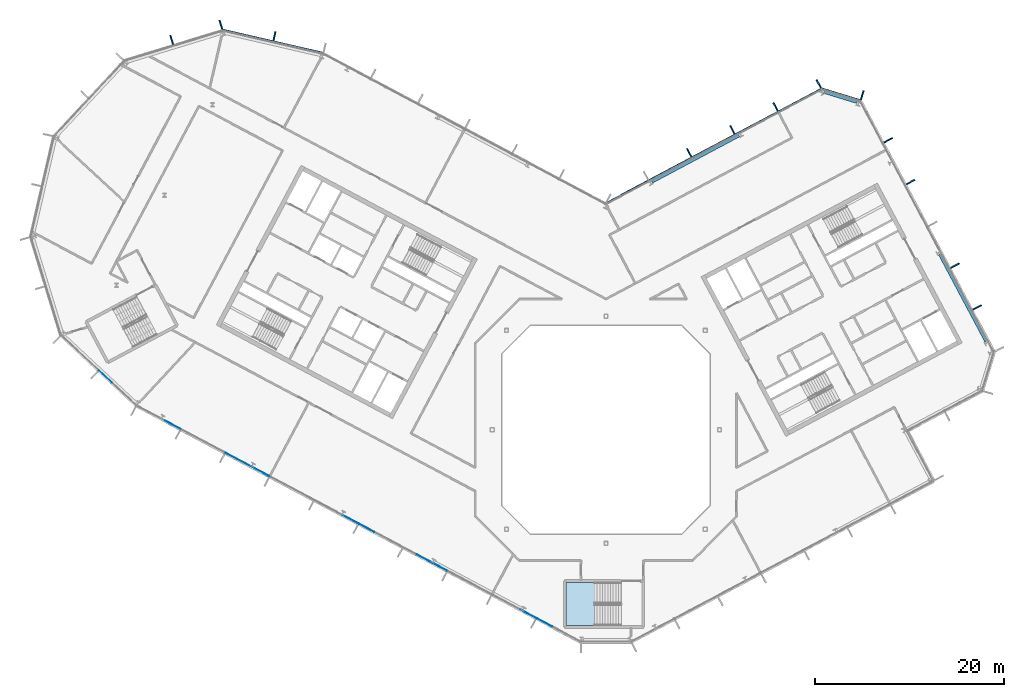
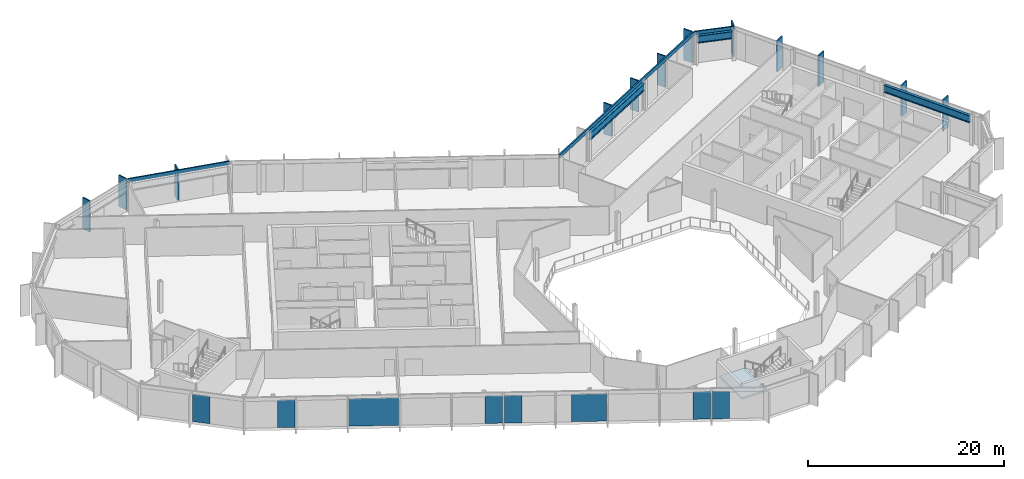
# One storey, part 10 of 25: 15 members, 8 plates, 3 beams, 1 slab, 8 elements without a shape of their own.
"""IFC4 building model written with IfcOpenShell, lengths in metres."""

from ifc_helpers import new_model, si_unit, direction, frame, origin, origin_2d, place, context, subcontext, project, spatial, polyline, rectangle, i_section, outline, extrude, material, layer, layer_set, material_profile, profile_set, type_object, element, aggregate, save


model = new_model("IFC4")

# Units and contexts
model_context = context("Model", 3, precision=1e-05, world=origin(), true_north=direction((0.0, 1.0)))
body_context = subcontext(model_context, "Body", "Model", "MODEL_VIEW")
ifc_project = project(units=[si_unit("LENGTHUNIT", "METRE"), si_unit("AREAUNIT", "SQUARE_METRE"), si_unit("VOLUMEUNIT", "CUBIC_METRE"), si_unit("PLANEANGLEUNIT", "RADIAN"), si_unit("MASSUNIT", "GRAM", prefix="KILO")], contexts=[model_context])

# Site, building, storey
site_placement = place(None, origin())
site = spatial("IfcSite", under=ifc_project, at=site_placement, CompositionType="ELEMENT")
building_placement = place(site_placement, origin())
building = spatial("IfcBuilding", under=site, at=building_placement, Name="Cormorant Relay Tower", CompositionType="ELEMENT")
storey_placement = place(building_placement, frame((0.0, 0.0, 273.60009765625)))
storey = spatial("IfcBuildingStorey", under=building, at=storey_placement, Name="L61", CompositionType="ELEMENT", Elevation=273.60009765625)

# Curtain wall, members
ifc_material_1 = material(Name="Aluminium 6063-T6 anodised bronze", Category="aluminium")
ifc_layer_1 = layer(ifc_material_1, 0.199951171875)
ifc_layer_set_1 = layer_set([ifc_layer_1], Name="CW1 unitised bronze curtain wall with vertical fins")
curtain_wall_type = type_object("IfcCurtainWallType", Name="CW1 unitised bronze curtain wall with vertical fins", PredefinedType="NOTDEFINED", material=ifc_layer_set_1)
curtain_wall_1_placement = place(storey_placement, origin())
curtain_wall_1 = element("IfcCurtainWall", 1, at=curtain_wall_1_placement, inside=storey, type_object=curtain_wall_type, Name="CW1 curtain wall 6", PredefinedType="NOTDEFINED")
ifc_material_2 = material(Name="Aluminium 6063-T6 anodised bronze", Category="aluminium")
ifc_material_profile_1 = material_profile(ifc_material_2, rectangle(XDim=0.14990234375, YDim=1.0, at=origin_2d()), Name="AL 150x1000")
ifc_profile_set_1 = profile_set([ifc_material_profile_1], Name="Aluminium 6063-T6 anodised bronze")
member_type_1 = type_object("IfcMemberType", Name="CW1 bronze fin mullion 150 x 1000", PredefinedType="MULLION", material=ifc_profile_set_1)
member_1_placement = place(storey_placement, frame((39.222412109375, 12.927001953125, 0.0), z_axis=(0.0, 0.0, 1.0), x_axis=(-0.469471562786, 0.882947592859, 0.0)))
member_1 = element("IfcMember", 2, at=member_1_placement, type_object=member_type_1, Name="CW1 fin 6.2", PredefinedType="MULLION", context=body_context, shape_type="SweptSolid", body=[
    extrude(rectangle(XDim=0.14990234375, YDim=1.0, at=origin_2d()), origin(), (0.0, 0.0, 1.0), 3.89990234375),
])
member_2_placement = place(storey_placement, frame((36.875, 17.341552734375, 0.0), z_axis=(0.0, 0.0, 1.0), x_axis=(-0.469471562786, 0.882947592859, 0.0)))
member_2 = element("IfcMember", 3, at=member_2_placement, type_object=member_type_1, Name="CW1 fin 6.3", PredefinedType="MULLION", context=body_context, shape_type="SweptSolid", body=[
    extrude(rectangle(XDim=0.14990234375, YDim=1.0, at=origin_2d()), origin(), (0.0, 0.0, 1.0), 3.89990234375),
])
member_3_placement = place(storey_placement, frame((32.18017578125, 26.171142578125, 0.0), z_axis=(0.0, 0.0, 1.0), x_axis=(-0.469471562786, 0.882947592859, 0.0)))
member_3 = element("IfcMember", 4, at=member_3_placement, type_object=member_type_1, Name="CW1 fin 6.5", PredefinedType="MULLION", context=body_context, shape_type="SweptSolid", body=[
    extrude(rectangle(XDim=0.14990234375, YDim=1.0, at=origin_2d()), origin(), (0.0, 0.0, 1.0), 3.89990234375),
])
member_4_placement = place(storey_placement, frame((29.832763671875, 30.585693359375, 0.0), z_axis=(0.0, 0.0, 1.0), x_axis=(-0.469471562786, 0.882947592859, 0.0)))
member_4 = element("IfcMember", 5, at=member_4_placement, type_object=member_type_1, Name="CW1 fin 6.6", PredefinedType="MULLION", context=body_context, shape_type="SweptSolid", body=[
    extrude(rectangle(XDim=0.14990234375, YDim=1.0, at=origin_2d()), origin(), (0.0, 0.0, 1.0), 3.89990234375),
])
aggregate(curtain_wall_1, [member_1, member_2, member_3, member_4])

# Curtain wall, member
curtain_wall_2_placement = place(storey_placement, origin())
curtain_wall_2 = element("IfcCurtainWall", 6, at=curtain_wall_2_placement, inside=storey, type_object=curtain_wall_type, Name="CW1 curtain wall 7", PredefinedType="NOTDEFINED")
member_5_placement = place(storey_placement, frame((27.072021484375, 35.34130859375, 0.0), z_axis=(0.0, 0.0, 1.0), x_axis=(-0.956304755963, 0.292371704723, 0.0)))
member_5 = element("IfcMember", 7, at=member_5_placement, type_object=member_type_1, Name="CW1 fin 7.1", PredefinedType="MULLION", context=body_context, shape_type="SweptSolid", body=[
    extrude(rectangle(XDim=0.14990234375, YDim=1.0, at=origin_2d()), origin(), (0.0, 0.0, 1.0), 3.89990234375),
])

# Curtain wall, members
curtain_wall_3_placement = place(storey_placement, origin())
curtain_wall_3 = element("IfcCurtainWall", 8, at=curtain_wall_3_placement, inside=storey, type_object=curtain_wall_type, Name="CW1 curtain wall 8", PredefinedType="NOTDEFINED")
member_6_placement = place(storey_placement, frame((22.4814453125, 36.530517578125, 0.0), z_axis=(0.0, 0.0, 1.0), x_axis=(-0.882947592859, -0.469471562786, 0.0)))
member_6 = element("IfcMember", 9, at=member_6_placement, type_object=member_type_1, Name="CW1 fin 8.1", PredefinedType="MULLION", context=body_context, shape_type="SweptSolid", body=[
    extrude(rectangle(XDim=0.14990234375, YDim=1.0, at=origin_2d()), origin(), (0.0, 0.0, 1.0), 3.89990234375),
])
member_7_placement = place(storey_placement, frame((17.91943359375, 34.104736328125, 0.0), z_axis=(0.0, 0.0, 1.0), x_axis=(-0.882947592859, -0.469471562786, 0.0)))
member_7 = element("IfcMember", 10, at=member_7_placement, type_object=member_type_1, Name="CW1 fin 8.2", PredefinedType="MULLION", context=body_context, shape_type="SweptSolid", body=[
    extrude(rectangle(XDim=0.14990234375, YDim=1.0, at=origin_2d()), origin(), (0.0, 0.0, 1.0), 3.89990234375),
])
member_8_placement = place(storey_placement, frame((13.357421875, 31.67919921875, 0.0), z_axis=(0.0, 0.0, 1.0), x_axis=(-0.882947592859, -0.469471562786, 0.0)))
member_8 = element("IfcMember", 11, at=member_8_placement, type_object=member_type_1, Name="CW1 fin 8.3", PredefinedType="MULLION", context=body_context, shape_type="SweptSolid", body=[
    extrude(rectangle(XDim=0.14990234375, YDim=1.0, at=origin_2d()), origin(), (0.0, 0.0, 1.0), 3.89990234375),
])
member_9_placement = place(storey_placement, frame((8.79541015625, 29.25341796875, 0.0), z_axis=(0.0, 0.0, 1.0), x_axis=(-0.882947592859, -0.469471562786, 0.0)))
member_9 = element("IfcMember", 12, at=member_9_placement, type_object=member_type_1, Name="CW1 fin 8.4", PredefinedType="MULLION", context=body_context, shape_type="SweptSolid", body=[
    extrude(rectangle(XDim=0.14990234375, YDim=1.0, at=origin_2d()), origin(), (0.0, 0.0, 1.0), 3.89990234375),
])

# Curtain wall, member
curtain_wall_4_placement = place(storey_placement, origin())
curtain_wall_4 = element("IfcCurtainWall", 13, at=curtain_wall_4_placement, inside=storey, type_object=curtain_wall_type, Name="CW1 curtain wall 10", PredefinedType="NOTDEFINED")
member_10_placement = place(storey_placement, frame((-35.01220703125, 41.57275390625, 0.0), z_axis=(0.0, 0.0, 1.0), x_axis=(-0.974370064785, 0.224951054344, 0.0)))
member_10 = element("IfcMember", 14, at=member_10_placement, type_object=member_type_1, Name="CW1 fin 10.2", PredefinedType="MULLION", context=body_context, shape_type="SweptSolid", body=[
    extrude(rectangle(XDim=0.14990234375, YDim=1.0, at=origin_2d()), origin(), (0.0, 0.0, 1.0), 3.89990234375),
])

# Curtain wall, members
curtain_wall_5_placement = place(storey_placement, origin())
curtain_wall_5 = element("IfcCurtainWall", 15, at=curtain_wall_5_placement, inside=storey, type_object=curtain_wall_type, Name="CW1 curtain wall 11", PredefinedType="NOTDEFINED")
member_11_placement = place(storey_placement, frame((-40.670166015625, 42.78271484375, 0.0), z_axis=(0.0, 0.0, 1.0), x_axis=(-0.956304755963, -0.292371704723, 0.0)))
member_11 = element("IfcMember", 16, at=member_11_placement, type_object=member_type_1, Name="CW1 fin 11.1", PredefinedType="MULLION", context=body_context, shape_type="SweptSolid", body=[
    extrude(rectangle(XDim=0.14990234375, YDim=1.0, at=origin_2d()), origin(), (0.0, 0.0, 1.0), 3.89990234375),
])
member_12_placement = place(storey_placement, frame((-45.867919921875, 41.193603515625, 0.0), z_axis=(0.0, 0.0, 1.0), x_axis=(-0.956304755963, -0.292371704723, 0.0)))
member_12 = element("IfcMember", 17, at=member_12_placement, type_object=member_type_1, Name="CW1 fin 11.2", PredefinedType="MULLION", context=body_context, shape_type="SweptSolid", body=[
    extrude(rectangle(XDim=0.14990234375, YDim=1.0, at=origin_2d()), origin(), (0.0, 0.0, 1.0), 3.89990234375),
])
aggregate(curtain_wall_5, [member_11, member_12])

# Member
ifc_material_3 = material(Name="Aluminium 6063-T6 anodised bronze", Category="aluminium")
ifc_material_profile_2 = material_profile(ifc_material_3, rectangle(XDim=0.159912109375, YDim=0.449951171875, at=origin_2d()), Name="AL 160x450")
ifc_profile_set_2 = profile_set([ifc_material_profile_2], Name="Aluminium 6063-T6 anodised bronze")
member_type_2 = type_object("IfcMemberType", Name="CW1 bronze transom 160 x 450", PredefinedType="USERDEFINED", material=ifc_profile_set_2)
member_13_placement = place(storey_placement, frame((26.902587890625, 34.78662109375, 3.6748046875), z_axis=(-0.956303761594, 0.292374957137, 0.0), x_axis=(-0.292374957137, -0.956303761594, 0.0)))
member_13 = element("IfcMember", 18, at=member_13_placement, type_object=member_type_2, Name="CW1 transom 7", ObjectType="TRANSOM", PredefinedType="USERDEFINED", context=body_context, shape_type="SweptSolid", body=[
    extrude(rectangle(XDim=0.159912109375, YDim=0.449951171875, at=origin_2d()), origin(), (0.0, 0.0, 1.0), 4.24267578125),
])

aggregate(curtain_wall_2, [member_5, member_13])

member_14_placement = place(storey_placement, frame((22.75390625, 36.018310546875, 3.6748046875), z_axis=(-0.882948156597, -0.469470502547, 0.0), x_axis=(0.469470502547, -0.882948156597, 0.0)))
member_14 = element("IfcMember", 19, at=member_14_placement, type_object=member_type_2, Name="CW1 transom 8", ObjectType="TRANSOM", PredefinedType="USERDEFINED", context=body_context, shape_type="SweptSolid", body=[
    extrude(rectangle(XDim=0.159912109375, YDim=0.449951171875, at=origin_2d()), origin(), (0.0, 0.0, 1.0), 25.834228515625),
])

aggregate(curtain_wall_3, [member_6, member_7, member_8, member_9, member_14])

member_15_placement = place(storey_placement, frame((-29.8466796875, 39.784912109375, 3.6748046875), z_axis=(-0.974365070969, 0.224972683844, 0.0), x_axis=(-0.224972683844, -0.974365070969, 0.0)))
member_15 = element("IfcMember", 20, at=member_15_placement, type_object=member_type_2, Name="CW1 transom 10", ObjectType="TRANSOM", PredefinedType="USERDEFINED", context=body_context, shape_type="SweptSolid", body=[
    extrude(rectangle(XDim=0.159912109375, YDim=0.449951171875, at=origin_2d()), origin(), (0.0, 0.0, 1.0), 10.870361328125),
])

aggregate(curtain_wall_4, [member_10, member_15])

# Beams
ifc_material_4 = material(Name="Steel ASTM A992 (Fy 345 MPa)", Category="steel")
ifc_material_profile_3 = material_profile(ifc_material_4, i_section(OverallWidth=0.307373046875, OverallDepth=0.927001953125, WebThickness=0.019287109375, FlangeThickness=0.031982421875, FilletRadius=0.01904296875, at=origin_2d()), Name="W920x289")
ifc_profile_set_3 = profile_set([ifc_material_profile_3], Name="Steel ASTM A992 (Fy 345 MPa)")
beam_type = type_object("IfcBeamType", Name="Spandrel W920x289", PredefinedType="SPANDREL", material=ifc_profile_set_3)
beam_1_placement = place(storey_placement, frame((40.1591796875, 9.3466796875, 3.076416015625), z_axis=(-0.469474391681, 0.882946088703, 0.0), x_axis=(-0.882946088703, -0.469474391681, 0.0)))
element("IfcBeam", 21, at=beam_1_placement, inside=storey, type_object=beam_type, Name="Spandrel beam L61-006", PredefinedType="SPANDREL", context=body_context, shape_type="SweptSolid", body=[
    extrude(i_section(OverallWidth=0.307373046875, OverallDepth=0.927001953125, WebThickness=0.019287109375, FlangeThickness=0.031982421875, FilletRadius=0.01904296875, at=origin_2d()), origin(), (0.0, 0.0, 1.0), 10.401611328125),
])
beam_2_placement = place(storey_placement, frame((26.512451171875, 34.619873046875, 3.076416015625), z_axis=(-0.956313678807, 0.292342517821, 0.0), x_axis=(-0.292342517821, -0.956313678807, 0.0)))
element("IfcBeam", 22, at=beam_2_placement, inside=storey, type_object=beam_type, Name="Spandrel beam L61-007", PredefinedType="SPANDREL", context=body_context, shape_type="SweptSolid", body=[
    extrude(i_section(OverallWidth=0.307373046875, OverallDepth=0.927001953125, WebThickness=0.019287109375, FlangeThickness=0.031982421875, FilletRadius=0.01904296875, at=origin_2d()), origin(), (0.0, 0.0, 1.0), 3.65185546875),
])
beam_3_placement = place(storey_placement, frame((14.05322265625, 31.082275390625, 3.076416015625), z_axis=(-0.882950644937, -0.469465822617, 0.0), x_axis=(0.469465822617, -0.882950644937, 0.0)))
element("IfcBeam", 23, at=beam_3_placement, inside=storey, type_object=beam_type, Name="Spandrel beam L61-008", PredefinedType="SPANDREL", context=body_context, shape_type="SweptSolid", body=[
    extrude(i_section(OverallWidth=0.307373046875, OverallDepth=0.927001953125, WebThickness=0.019287109375, FlangeThickness=0.031982421875, FilletRadius=0.01904296875, at=origin_2d()), origin(), (0.0, 0.0, 1.0), 10.4013671875),
])

# Curtain wall, plate
curtain_wall_6_placement = place(storey_placement, origin())
curtain_wall_6 = element("IfcCurtainWall", 24, at=curtain_wall_6_placement, inside=storey, type_object=curtain_wall_type, Name="CW1 curtain wall 15", PredefinedType="NOTDEFINED")
ifc_material_5 = material(Name="Tinted laminated glass", Category="glass")
ifc_layer_2 = layer(ifc_material_5, 0.0400390625)
ifc_layer_set_2 = layer_set([ifc_layer_2], Name="CW1 tinted vision panel 1800 module")
plate_type_1 = type_object("IfcPlateType", Name="CW1 tinted vision panel 1800 module", PredefinedType="CURTAIN_PANEL", material=ifc_layer_set_2)
plate_1_placement = place(storey_placement, frame((-52.8671875, 5.611572265625, 0.0), z_axis=(0.0, 0.0, 1.0), x_axis=(0.731353701619, -0.681998360062, 0.0)))
plate_1 = element("IfcPlate", 25, at=plate_1_placement, type_object=plate_type_1, Name="CW1 panel V01", PredefinedType="CURTAIN_PANEL", context=body_context, shape_type="SweptSolid", body=[
    extrude(rectangle(XDim=1.800048828125, YDim=0.0400390625, at=origin_2d()), origin(), (0.0, 0.0, 1.0), 3.449951171875),
])
aggregate(curtain_wall_6, [plate_1])

# Curtain wall, plates
curtain_wall_7_placement = place(storey_placement, origin())
curtain_wall_7 = element("IfcCurtainWall", 26, at=curtain_wall_7_placement, inside=storey, type_object=curtain_wall_type, Name="CW1 curtain wall 16", PredefinedType="NOTDEFINED")
plate_2_placement = place(storey_placement, frame((-45.767578125, 0.5283203125, 0.0), z_axis=(0.0, 0.0, 1.0), x_axis=(0.882947592859, -0.469471562786, 0.0)))
plate_2 = element("IfcPlate", 27, at=plate_2_placement, type_object=plate_type_1, Name="CW1 panel V01", PredefinedType="CURTAIN_PANEL", context=body_context, shape_type="SweptSolid", body=[
    extrude(rectangle(XDim=1.800048828125, YDim=0.0400390625, at=origin_2d()), origin(), (0.0, 0.0, 1.0), 3.449951171875),
])
plate_3_placement = place(storey_placement, frame((-26.990478515625, -9.45556640625, 0.0), z_axis=(0.0, 0.0, 1.0), x_axis=(0.882947592859, -0.469471562786, 0.0)))
plate_3 = element("IfcPlate", 28, at=plate_3_placement, type_object=plate_type_1, Name="CW1 panel V05", PredefinedType="CURTAIN_PANEL", context=body_context, shape_type="SweptSolid", body=[
    extrude(rectangle(XDim=1.800048828125, YDim=0.0400390625, at=origin_2d()), origin(), (0.0, 0.0, 1.0), 3.449951171875),
])
plate_4_placement = place(storey_placement, frame((-25.268798828125, -10.37109375, 0.0), z_axis=(0.0, 0.0, 1.0), x_axis=(0.882947592859, -0.469471562786, 0.0)))
plate_4 = element("IfcPlate", 29, at=plate_4_placement, type_object=plate_type_1, Name="CW1 panel V06", PredefinedType="CURTAIN_PANEL", context=body_context, shape_type="SweptSolid", body=[
    extrude(rectangle(XDim=1.800048828125, YDim=0.0400390625, at=origin_2d()), origin(), (0.0, 0.0, 1.0), 3.449951171875),
])
plate_5_placement = place(storey_placement, frame((-8.21337890625, -19.439453125, 0.0), z_axis=(0.0, 0.0, 1.0), x_axis=(0.882947592859, -0.469471562786, 0.0)))
plate_5 = element("IfcPlate", 30, at=plate_5_placement, type_object=plate_type_1, Name="CW1 panel V10", PredefinedType="CURTAIN_PANEL", context=body_context, shape_type="SweptSolid", body=[
    extrude(rectangle(XDim=1.800048828125, YDim=0.0400390625, at=origin_2d()), origin(), (0.0, 0.0, 1.0), 3.449951171875),
])
plate_6_placement = place(storey_placement, frame((-6.49169921875, -20.35498046875, 0.0), z_axis=(0.0, 0.0, 1.0), x_axis=(0.882947592859, -0.469471562786, 0.0)))
plate_6 = element("IfcPlate", 31, at=plate_6_placement, type_object=plate_type_1, Name="CW1 panel V11", PredefinedType="CURTAIN_PANEL", context=body_context, shape_type="SweptSolid", body=[
    extrude(rectangle(XDim=1.800048828125, YDim=0.0400390625, at=origin_2d()), origin(), (0.0, 0.0, 1.0), 3.449951171875),
])
ifc_material_6 = material(Name="Tinted laminated glass", Category="glass")
ifc_layer_3 = layer(ifc_material_6, 0.0400390625)
ifc_layer_set_3 = layer_set([ifc_layer_3], Name="CW1 tinted vision panel 3600 module")
plate_type_2 = type_object("IfcPlateType", Name="CW1 tinted vision panel 3600 module", PredefinedType="CURTAIN_PANEL", material=ifc_layer_set_3)
plate_7_placement = place(storey_placement, frame((-18.396484375, -14.02490234375, 0.0), z_axis=(0.0, 0.0, 1.0), x_axis=(0.882947592859, -0.469471562786, 0.0)))
plate_7 = element("IfcPlate", 32, at=plate_7_placement, type_object=plate_type_2, Name="CW1 panel V08", PredefinedType="CURTAIN_PANEL", context=body_context, shape_type="SweptSolid", body=[
    extrude(rectangle(XDim=3.60009765625, YDim=0.0400390625, at=origin_2d()), origin(), (0.0, 0.0, 1.0), 3.449951171875),
])
ifc_material_7 = material(Name="Tinted laminated glass", Category="glass")
ifc_layer_4 = layer(ifc_material_7, 0.0400390625)
ifc_layer_set_4 = layer_set([ifc_layer_4], Name="CW1 tinted vision panel 5400 module")
plate_type_3 = type_object("IfcPlateType", Name="CW1 tinted vision panel 5400 module", PredefinedType="CURTAIN_PANEL", material=ifc_layer_set_4)
plate_8_placement = place(storey_placement, frame((-37.865234375, -3.67333984375, 0.0), z_axis=(0.0, 0.0, 1.0), x_axis=(0.882947592859, -0.469471562786, 0.0)))
plate_8 = element("IfcPlate", 33, at=plate_8_placement, type_object=plate_type_3, Name="CW1 panel V03", PredefinedType="CURTAIN_PANEL", context=body_context, shape_type="SweptSolid", body=[
    extrude(rectangle(XDim=5.16650390625, YDim=0.0400390625, at=origin_2d()), origin(), (0.0, 0.0, 1.0), 3.449951171875),
])
aggregate(curtain_wall_7, [plate_2, plate_8, plate_3, plate_4, plate_7, plate_5, plate_6])

# Stair, slab
ifc_material_8 = material(Name="Concrete 40 MPa", Category="concrete")
stair_type = type_object("IfcStairType", Name="Remote exit stair 2200", PredefinedType="HALF_TURN_STAIR", material=ifc_material_8)
stair_placement = place(storey_placement, origin())
stair = element("IfcStair", 34, at=stair_placement, inside=storey, type_object=stair_type, Name="L61 Stair", PredefinedType="HALF_TURN_STAIR")
ifc_material_9 = material(Name="Concrete 40 MPa", Category="concrete")
ifc_layer_5 = layer(ifc_material_9, 0.199951171875)
ifc_layer_set_5 = layer_set([ifc_layer_5], Name="Exit stair landing 200")
slab_type = type_object("IfcSlabType", Name="Exit stair landing 200", PredefinedType="LANDING", material=ifc_layer_set_5)
slab_placement = place(storey_placement, frame((0.0, 0.0, 1.75)))
slab = element("IfcSlab", 35, at=slab_placement, type_object=slab_type, Name="RK1 landing 1", PredefinedType="LANDING", context=body_context, shape_type="SweptSolid", body=[
    extrude(outline(polyline([(-1.199951171875, -16.125), (-4.199951171875, -16.125), (-4.199951171875, -20.675048828125), (-1.199951171875, -20.675048828125), (-1.199951171875, -16.125)])), origin(), (0.0, 0.0, 1.0), 0.199951171875),
])
aggregate(stair, [slab])

save(model, "model.ifc")
